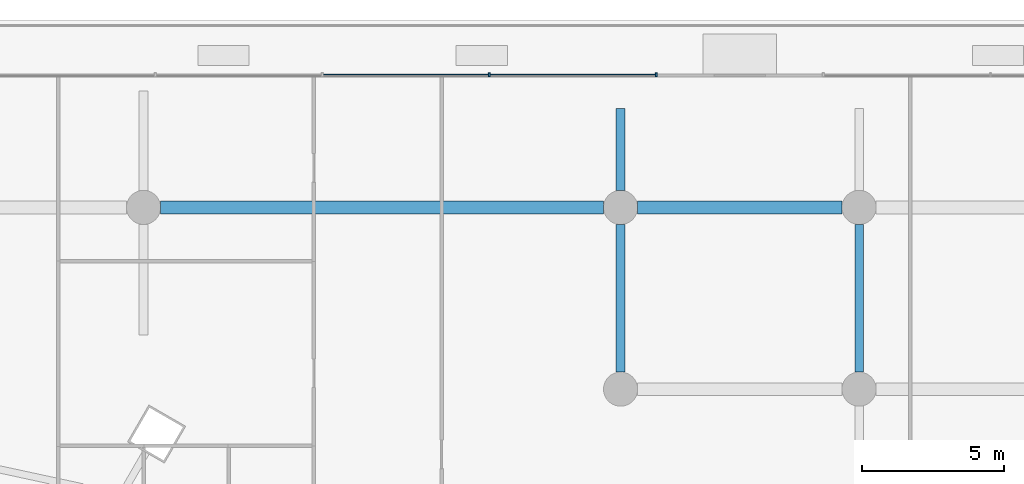
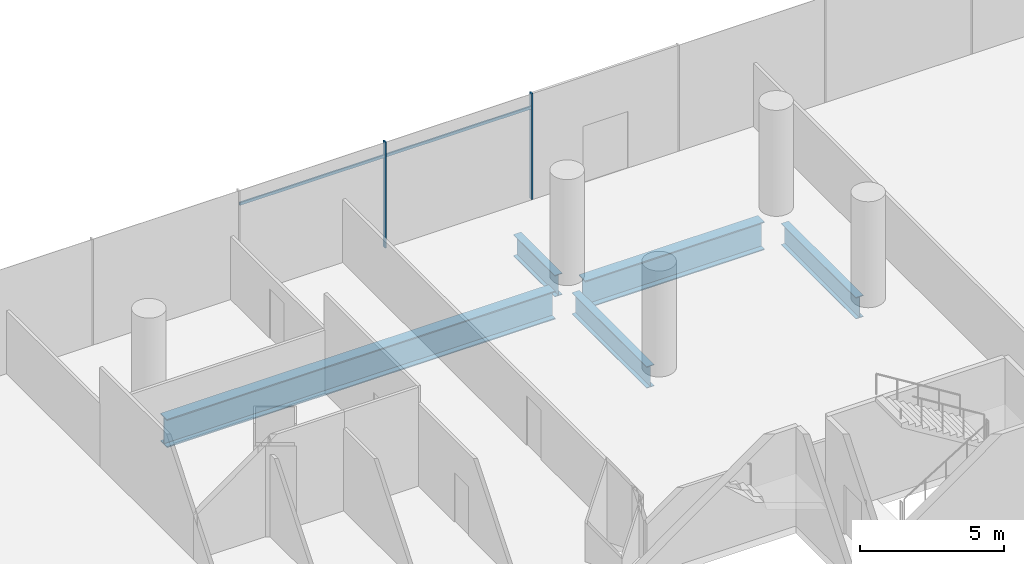
# One storey, part 21 of 43: 5 beams, 4 members, 1 element without a shape of its own.
"""IFC4 building model written with IfcOpenShell, lengths in metres."""

from ifc_helpers import new_model, si_unit, direction, frame, origin, origin_2d, place, context, subcontext, project, spatial, rectangle, i_section, extrude, material, material_profile, profile_set, type_object, element, aggregate, save


model = new_model("IFC4")

# Units and contexts
model_context = context("Model", 3, precision=1e-05, world=origin(), true_north=direction((0.0, 1.0)))
body_context = subcontext(model_context, "Body", "Model", "MODEL_VIEW")
ifc_project = project(units=[si_unit("LENGTHUNIT", "METRE"), si_unit("AREAUNIT", "SQUARE_METRE"), si_unit("VOLUMEUNIT", "CUBIC_METRE"), si_unit("PLANEANGLEUNIT", "RADIAN"), si_unit("MASSUNIT", "GRAM", prefix="KILO")], contexts=[model_context])

# Site, building, storey
site_placement = place(None, origin())
site = spatial("IfcSite", under=ifc_project, at=site_placement, CompositionType="ELEMENT")
building_placement = place(site_placement, origin())
building = spatial("IfcBuilding", under=site, at=building_placement, Name="Rimbun Link Towers", CompositionType="ELEMENT")
storey_placement = place(building_placement, frame((0.0, 0.0, 12.0)))
storey = spatial("IfcBuildingStorey", under=building, at=storey_placement, Name="L02", CompositionType="ELEMENT", Elevation=12.0)

# Curtain wall, members
ifc_material_1 = material(Name="Aluminium 6063-T6 and low-iron glass", Category="aluminium")
curtain_wall_type = type_object("IfcCurtainWallType", Name="CW3 podium shopfront", PredefinedType="NOTDEFINED", material=ifc_material_1)
curtain_wall_placement = place(storey_placement, origin())
curtain_wall = element("IfcCurtainWall", 1, at=curtain_wall_placement, inside=storey, type_object=curtain_wall_type, Name="CW3 L02 PD", PredefinedType="NOTDEFINED")
ifc_material_2 = material(Name="Aluminium 6063-T6", Category="aluminium")
ifc_material_profile_1 = material_profile(ifc_material_2, rectangle(XDim=0.14990234375, YDim=0.06005859375, at=origin_2d()), Name="MULLION 60X150")
ifc_profile_set_1 = profile_set([ifc_material_profile_1], Name="Aluminium 6063-T6")
member_type_1 = type_object("IfcMemberType", Name="CW3 mullion 60X150", PredefinedType="MULLION", material=ifc_profile_set_1)
member_1_placement = place(storey_placement, frame((-2.941162109375, 32.074951171875, 0.0), z_axis=(0.0, 0.0, 1.0), x_axis=(0.0, 1.0, 0.0)))
member_1 = element("IfcMember", 2, at=member_1_placement, type_object=member_type_1, Name="CW3 mullion", PredefinedType="MULLION", context=body_context, shape_type="SweptSolid", body=[
    extrude(rectangle(XDim=0.14990234375, YDim=0.06005859375, at=origin_2d()), origin(), (0.0, 0.0, 1.0), 4.5),
])
member_2_placement = place(storey_placement, frame((-8.823486328125, 32.074951171875, 0.0), z_axis=(0.0, 0.0, 1.0), x_axis=(0.0, 1.0, 0.0)))
member_2 = element("IfcMember", 3, at=member_2_placement, type_object=member_type_1, Name="CW3 mullion", PredefinedType="MULLION", context=body_context, shape_type="SweptSolid", body=[
    extrude(rectangle(XDim=0.14990234375, YDim=0.06005859375, at=origin_2d()), origin(), (0.0, 0.0, 1.0), 4.5),
])
ifc_material_3 = material(Name="Aluminium 6063-T6", Category="aluminium")
ifc_material_profile_2 = material_profile(ifc_material_3, rectangle(XDim=0.06005859375, YDim=0.1201171875, at=origin_2d()), Name="TRANSOM 60X120")
ifc_profile_set_2 = profile_set([ifc_material_profile_2], Name="Aluminium 6063-T6")
member_type_2 = type_object("IfcMemberType", Name="CW3 transom 60X120", PredefinedType="USERDEFINED", material=ifc_profile_set_2)
member_3_placement = place(storey_placement, frame((-8.79345703125, 32.053955078125, 3.89990234375), z_axis=(1.0, 0.0, 0.0), x_axis=(0.0, 1.0, 0.0)))
member_3 = element("IfcMember", 4, at=member_3_placement, type_object=member_type_2, Name="CW3 transom", ObjectType="TRANSOM", PredefinedType="USERDEFINED", context=body_context, shape_type="SweptSolid", body=[
    extrude(rectangle(XDim=0.06005859375, YDim=0.1201171875, at=origin_2d()), origin(), (0.0, 0.0, 1.0), 5.822265625),
])
member_4_placement = place(storey_placement, frame((-14.67578125, 32.053955078125, 3.89990234375), z_axis=(1.0, 0.0, 0.0), x_axis=(0.0, 1.0, 0.0)))
member_4 = element("IfcMember", 5, at=member_4_placement, type_object=member_type_2, Name="CW3 transom", ObjectType="TRANSOM", PredefinedType="USERDEFINED", context=body_context, shape_type="SweptSolid", body=[
    extrude(rectangle(XDim=0.06005859375, YDim=0.1201171875, at=origin_2d()), origin(), (0.0, 0.0, 1.0), 5.822265625),
])
aggregate(curtain_wall, [member_1, member_2, member_3, member_4])

# Beams
ifc_material_4 = material(Name="Steel S355J2", Category="steel")
ifc_material_profile_3 = material_profile(ifc_material_4, i_section(OverallWidth=0.449951171875, OverallDepth=1.199951171875, WebThickness=0.030029296875, FlangeThickness=0.044921875, at=origin_2d()), Name="PG 1200x450x30/45")
ifc_profile_set_3 = profile_set([ifc_material_profile_3], Name="Steel S355J2")
beam_type_1 = type_object("IfcBeamType", Name="PG 1200x450x30/45", PredefinedType="BEAM", material=ifc_profile_set_3)
beam_1_placement = place(storey_placement, frame((-20.39990234375, 27.39990234375, -0.89990234375), z_axis=(1.0, 0.0, 0.0), x_axis=(0.0, 1.0, 0.0)))
element("IfcBeam", 6, at=beam_1_placement, inside=storey, type_object=beam_type_1, Name="Grid beam L02 +27.4", PredefinedType="BEAM", context=body_context, shape_type="SweptSolid", body=[
    extrude(i_section(OverallWidth=0.449951171875, OverallDepth=1.199951171875, WebThickness=0.030029296875, FlangeThickness=0.044921875, at=origin_2d()), origin(), (0.0, 0.0, 1.0), 15.599853515625),
])
beam_2_placement = place(storey_placement, frame((-3.60009765625, 27.39990234375, -0.89990234375), z_axis=(1.0, 0.0, 0.0), x_axis=(0.0, 1.0, 0.0)))
element("IfcBeam", 7, at=beam_2_placement, inside=storey, type_object=beam_type_1, Name="Grid beam L02 +27.4", PredefinedType="BEAM", context=body_context, shape_type="SweptSolid", body=[
    extrude(i_section(OverallWidth=0.449951171875, OverallDepth=1.199951171875, WebThickness=0.030029296875, FlangeThickness=0.044921875, at=origin_2d()), origin(), (0.0, 0.0, 1.0), 7.2001953125),
])
ifc_material_5 = material(Name="Steel S355J2", Category="steel")
ifc_material_profile_4 = material_profile(ifc_material_5, i_section(OverallWidth=0.305419921875, OverallDepth=0.91845703125, WebThickness=0.017333984375, FlangeThickness=0.02783203125, at=origin_2d()), Name="UB 914x305x253")
ifc_profile_set_4 = profile_set([ifc_material_profile_4], Name="Steel S355J2")
beam_type_2 = type_object("IfcBeamType", Name="UB 914x305x253", PredefinedType="BEAM", material=ifc_profile_set_4)
beam_3_placement = place(storey_placement, frame((-4.199951171875, 21.60009765625, -0.75927734375), z_axis=(0.0, 1.0, 0.0), x_axis=(-1.0, 0.0, 0.0)))
element("IfcBeam", 8, at=beam_3_placement, inside=storey, type_object=beam_type_2, Name="Grid beam L02 -4.2", PredefinedType="BEAM", context=body_context, shape_type="SweptSolid", body=[
    extrude(i_section(OverallWidth=0.305419921875, OverallDepth=0.91845703125, WebThickness=0.017333984375, FlangeThickness=0.02783203125, at=origin_2d()), origin(), (0.0, 0.0, 1.0), 5.199951171875),
])
beam_4_placement = place(storey_placement, frame((-4.199951171875, 28.0, -0.75927734375), z_axis=(0.0, 1.0, 0.0), x_axis=(-1.0, 0.0, 0.0)))
element("IfcBeam", 9, at=beam_4_placement, inside=storey, type_object=beam_type_2, Name="Grid beam L02 -4.2", PredefinedType="BEAM", context=body_context, shape_type="SweptSolid", body=[
    extrude(i_section(OverallWidth=0.305419921875, OverallDepth=0.91845703125, WebThickness=0.017333984375, FlangeThickness=0.02783203125, at=origin_2d()), origin(), (0.0, 0.0, 1.0), 2.875),
])
beam_5_placement = place(storey_placement, frame((4.199951171875, 21.60009765625, -0.75927734375), z_axis=(0.0, 1.0, 0.0), x_axis=(-1.0, 0.0, 0.0)))
element("IfcBeam", 10, at=beam_5_placement, inside=storey, type_object=beam_type_2, Name="Grid beam L02 +4.2", PredefinedType="BEAM", context=body_context, shape_type="SweptSolid", body=[
    extrude(i_section(OverallWidth=0.305419921875, OverallDepth=0.91845703125, WebThickness=0.017333984375, FlangeThickness=0.02783203125, at=origin_2d()), origin(), (0.0, 0.0, 1.0), 5.199951171875),
])

save(model, "model.ifc")
